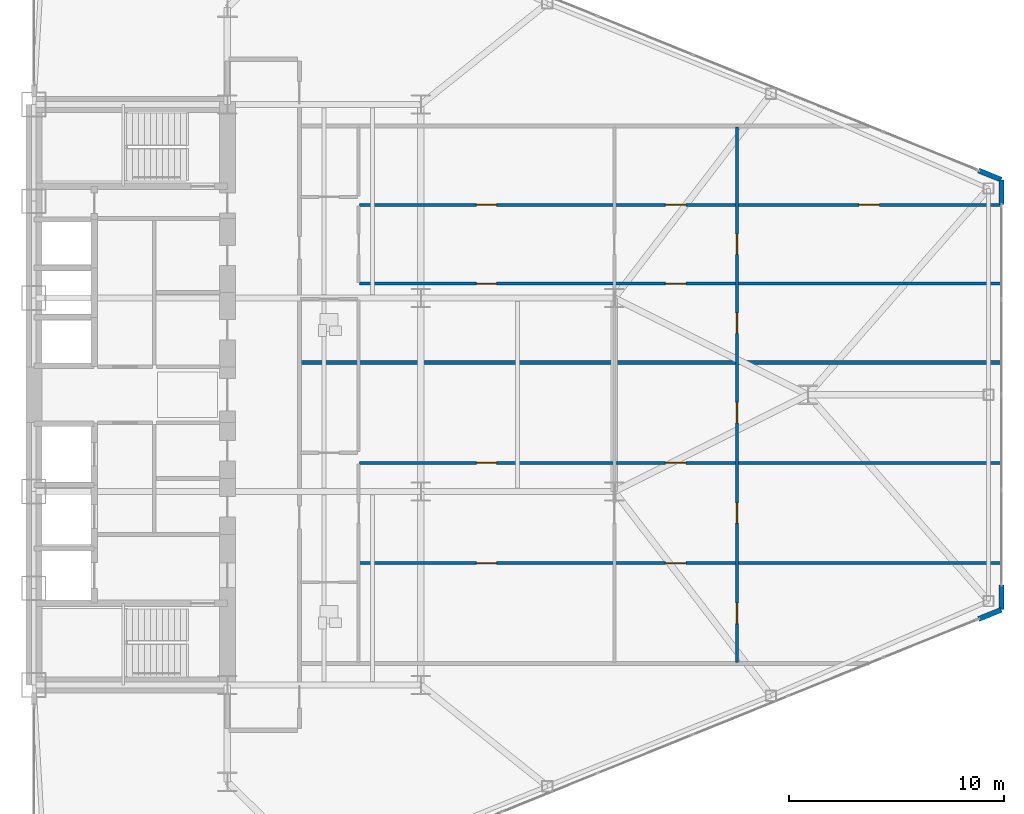
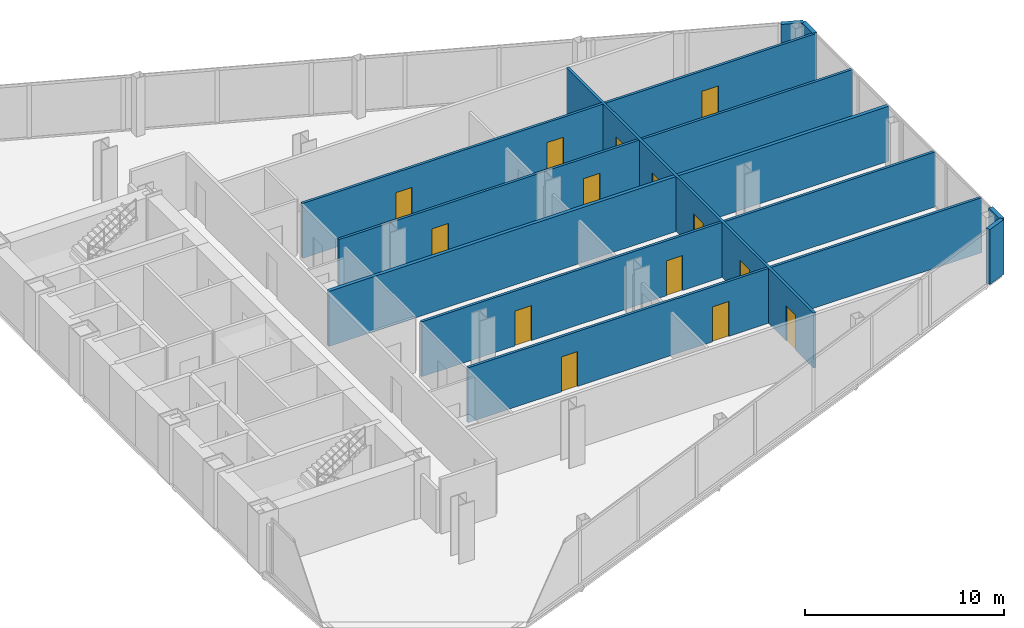
# One storey, part 22 of 25: 14 doors, 10 walls, 14 openings.
"""IFC4 building model written with IfcOpenShell, lengths in metres."""

from ifc_helpers import new_model, si_unit, direction, frame, frame_2d, origin, place, context, subcontext, project, spatial, rectangle, extrude, source, transform, mapped, material, layer, layer_set, type_object, type_shapes, element, fill, save


model = new_model("IFC4")

# Units and contexts
model_context = context("Model", 3, precision=1e-05, world=origin(), true_north=direction((0.0, 1.0)))
body_context = subcontext(model_context, "Body", "Model", "MODEL_VIEW")
ifc_project = project(units=[si_unit("LENGTHUNIT", "METRE"), si_unit("AREAUNIT", "SQUARE_METRE"), si_unit("VOLUMEUNIT", "CUBIC_METRE"), si_unit("PLANEANGLEUNIT", "RADIAN"), si_unit("MASSUNIT", "GRAM", prefix="KILO")], contexts=[model_context])

# Site, building, storey
site_placement = place(None, origin())
site = spatial("IfcSite", under=ifc_project, at=site_placement, CompositionType="ELEMENT")
building_placement = place(site_placement, origin())
building = spatial("IfcBuilding", under=site, at=building_placement, Name="Seokmaru Belvedere", CompositionType="ELEMENT")
storey_placement = place(building_placement, frame((0.0, 0.0, 47.699951171875)))
storey = spatial("IfcBuildingStorey", under=building, at=storey_placement, Name="L12", CompositionType="ELEMENT", Elevation=47.699951171875)

# Wall, openings, doors
ifc_material_1 = material(Name="Fire-Rated Gypsum Shaftwall")
ifc_layer_1 = layer(ifc_material_1, 0.14990234375)
ifc_layer_set_1 = layer_set([ifc_layer_1], Name="Fire-Rated Gypsum Shaftwall")
wall_type_1 = type_object("IfcWallType", Name="Apartment Fire-Acoustic Room Partition 150", PredefinedType="PARTITIONING", material=ifc_layer_set_1)
wall_1_placement = place(storey_placement, frame((42.64990234375, -7.830078125, 0.0), z_axis=(0.0, 0.0, 1.0), x_axis=(1.0, 0.0, 0.0)))
wall_1 = element("IfcWall", 1, at=wall_1_placement, inside=storey, type_object=wall_type_1, Name="L12 Interior Partition 012", PredefinedType="PARTITIONING", context=body_context, shape_type="SweptSolid", body=[
    extrude(rectangle(XDim=29.885009765625, YDim=0.14990234375, at=frame_2d((14.9423828125, 0.0))), origin(), (0.0, 0.0, 1.0), 3.380126953125),
])
opening_1_placement = place(wall_1_placement, frame((5.425048828125, 0.0, 0.0)))
opening_1 = element("IfcOpeningElement", 2, at=opening_1_placement, cuts=wall_1, Name="Opening D05", PredefinedType="OPENING", context=body_context, shape_type="SweptSolid", body=[
    extrude(rectangle(XDim=0.949951171875, YDim=2.14990234375, at=frame_2d((0.47509765625, 1.074951171875))), frame((0.0, 0.0849609375, 0.0), z_axis=(0.0, -1.0, 0.0), x_axis=(1.0, 0.0, 0.0)), (0.0, 0.0, 1.0), 0.169921875),
])
opening_2_placement = place(wall_1_placement, frame((14.22509765625, 0.0, 0.0)))
opening_2 = element("IfcOpeningElement", 3, at=opening_2_placement, cuts=wall_1, Name="Opening D05", PredefinedType="OPENING", context=body_context, shape_type="SweptSolid", body=[
    extrude(rectangle(XDim=0.949951171875, YDim=2.14990234375, at=frame_2d((0.47509765625, 1.074951171875))), frame((0.0, 0.0849609375, 0.0), z_axis=(0.0, -1.0, 0.0), x_axis=(1.0, 0.0, 0.0)), (0.0, 0.0, 1.0), 0.169921875),
])
ifc_material_2 = material(Name="Engineered White Oak Timber", Category="wood")
door_type = type_object("IfcDoorType", Name="Apartment Interior Fire-Rated Oak Door 950x2150", OperationType="NOTDEFINED", PredefinedType="DOOR", material=ifc_material_2)
shared_shape = source(origin(), body_context, "Body", "SweptSolid", [
    extrude(rectangle(XDim=0.949951171875, YDim=2.14990234375, at=frame_2d((0.47509765625, 1.074951171875))), frame((0.0, 0.02490234375, 0.0), z_axis=(0.0, -1.0, 0.0), x_axis=(1.0, 0.0, 0.0)), (0.0, 0.0, 1.0), 0.050048828125),
])
type_shapes(door_type, [shared_shape])
door_1_placement = place(opening_1_placement, origin())
door_1 = element("IfcDoor", 4, at=door_1_placement, inside=storey, type_object=door_type, Name="L12 Interior Door 043", OperationType="SINGLE_SWING_LEFT", OverallHeight=2.14990234375, OverallWidth=0.949951171875, PredefinedType="DOOR", context=body_context, shape_type="MappedRepresentation", body=[
    mapped(shared_shape, transform((0.0, 0.0, 0.0), scale=1.0)),
])
fill(opening_1, door_1)
door_2_placement = place(opening_2_placement, origin())
door_2 = element("IfcDoor", 5, at=door_2_placement, inside=storey, type_object=door_type, Name="L12 Interior Door 045", OperationType="SINGLE_SWING_RIGHT", OverallHeight=2.14990234375, OverallWidth=0.949951171875, PredefinedType="DOOR", context=body_context, shape_type="MappedRepresentation", body=[
    mapped(shared_shape, transform((0.0, 0.0, 0.0), scale=1.0)),
])
fill(opening_2, door_2)

wall_2_placement = place(storey_placement, frame((42.64990234375, -3.169921875, 0.0), z_axis=(0.0, 0.0, 1.0), x_axis=(1.0, 0.0, 0.0)))
wall_2 = element("IfcWall", 6, at=wall_2_placement, inside=storey, type_object=wall_type_1, Name="L12 Interior Partition 015", PredefinedType="PARTITIONING", context=body_context, shape_type="SweptSolid", body=[
    extrude(rectangle(XDim=29.885009765625, YDim=0.14990234375, at=frame_2d((14.9423828125, 0.0))), origin(), (0.0, 0.0, 1.0), 3.380126953125),
])
opening_3_placement = place(wall_2_placement, frame((5.425048828125, 0.0, 0.0)))
opening_3 = element("IfcOpeningElement", 7, at=opening_3_placement, cuts=wall_2, Name="Opening D05", PredefinedType="OPENING", context=body_context, shape_type="SweptSolid", body=[
    extrude(rectangle(XDim=0.949951171875, YDim=2.14990234375, at=frame_2d((0.47509765625, 1.074951171875))), frame((0.0, 0.0849609375, 0.0), z_axis=(0.0, -1.0, 0.0), x_axis=(1.0, 0.0, 0.0)), (0.0, 0.0, 1.0), 0.169921875),
])
opening_4_placement = place(wall_2_placement, frame((14.22509765625, 0.0, 0.0)))
opening_4 = element("IfcOpeningElement", 8, at=opening_4_placement, cuts=wall_2, Name="Opening D05", PredefinedType="OPENING", context=body_context, shape_type="SweptSolid", body=[
    extrude(rectangle(XDim=0.949951171875, YDim=2.14990234375, at=frame_2d((0.47509765625, 1.074951171875))), frame((0.0, 0.0849609375, 0.0), z_axis=(0.0, -1.0, 0.0), x_axis=(1.0, 0.0, 0.0)), (0.0, 0.0, 1.0), 0.169921875),
])
door_3_placement = place(opening_3_placement, origin())
door_3 = element("IfcDoor", 9, at=door_3_placement, inside=storey, type_object=door_type, Name="L12 Interior Door 044", OperationType="SINGLE_SWING_RIGHT", OverallHeight=2.14990234375, OverallWidth=0.949951171875, PredefinedType="DOOR", context=body_context, shape_type="MappedRepresentation", body=[
    mapped(shared_shape, transform((0.0, 0.0, 0.0), scale=1.0)),
])
fill(opening_3, door_3)
door_4_placement = place(opening_4_placement, origin())
door_4 = element("IfcDoor", 10, at=door_4_placement, inside=storey, type_object=door_type, Name="L12 Interior Door 048", OperationType="SINGLE_SWING_RIGHT", OverallHeight=2.14990234375, OverallWidth=0.949951171875, PredefinedType="DOOR", context=body_context, shape_type="MappedRepresentation", body=[
    mapped(shared_shape, transform((0.0, 0.0, 0.0), scale=1.0)),
])
fill(opening_4, door_4)

wall_3_placement = place(storey_placement, frame((42.64990234375, 5.169921875, 0.0), z_axis=(0.0, 0.0, 1.0), x_axis=(1.0, 0.0, 0.0)))
wall_3 = element("IfcWall", 11, at=wall_3_placement, inside=storey, type_object=wall_type_1, Name="L12 Interior Partition 021", PredefinedType="PARTITIONING", context=body_context, shape_type="SweptSolid", body=[
    extrude(rectangle(XDim=29.885009765625, YDim=0.14990234375, at=frame_2d((14.9423828125, 0.0))), origin(), (0.0, 0.0, 1.0), 3.380126953125),
])
opening_5_placement = place(wall_3_placement, frame((5.425048828125, 0.0, 0.0)))
opening_5 = element("IfcOpeningElement", 12, at=opening_5_placement, cuts=wall_3, Name="Opening D05", PredefinedType="OPENING", context=body_context, shape_type="SweptSolid", body=[
    extrude(rectangle(XDim=0.949951171875, YDim=2.14990234375, at=frame_2d((0.47509765625, 1.074951171875))), frame((0.0, 0.0849609375, 0.0), z_axis=(0.0, -1.0, 0.0), x_axis=(1.0, 0.0, 0.0)), (0.0, 0.0, 1.0), 0.169921875),
])
opening_6_placement = place(wall_3_placement, frame((14.22509765625, 0.0, 0.0)))
opening_6 = element("IfcOpeningElement", 13, at=opening_6_placement, cuts=wall_3, Name="Opening D05", PredefinedType="OPENING", context=body_context, shape_type="SweptSolid", body=[
    extrude(rectangle(XDim=0.949951171875, YDim=2.14990234375, at=frame_2d((0.47509765625, 1.074951171875))), frame((0.0, 0.0849609375, 0.0), z_axis=(0.0, -1.0, 0.0), x_axis=(1.0, 0.0, 0.0)), (0.0, 0.0, 1.0), 0.169921875),
])
door_5_placement = place(opening_5_placement, origin())
door_5 = element("IfcDoor", 14, at=door_5_placement, inside=storey, type_object=door_type, Name="L12 Interior Door 055", OperationType="SINGLE_SWING_LEFT", OverallHeight=2.14990234375, OverallWidth=0.949951171875, PredefinedType="DOOR", context=body_context, shape_type="MappedRepresentation", body=[
    mapped(shared_shape, transform((0.0, 0.0, 0.0), scale=1.0)),
])
fill(opening_5, door_5)
door_6_placement = place(opening_6_placement, origin())
door_6 = element("IfcDoor", 15, at=door_6_placement, inside=storey, type_object=door_type, Name="L12 Interior Door 057", OperationType="SINGLE_SWING_RIGHT", OverallHeight=2.14990234375, OverallWidth=0.949951171875, PredefinedType="DOOR", context=body_context, shape_type="MappedRepresentation", body=[
    mapped(shared_shape, transform((0.0, 0.0, 0.0), scale=1.0)),
])
fill(opening_6, door_6)

wall_4_placement = place(storey_placement, frame((42.64990234375, 8.830078125, 0.0), z_axis=(0.0, 0.0, 1.0), x_axis=(1.0, 0.0, 0.0)))
wall_4 = element("IfcWall", 16, at=wall_4_placement, inside=storey, type_object=wall_type_1, Name="L12 Interior Partition 023", PredefinedType="PARTITIONING", context=body_context, shape_type="SweptSolid", body=[
    extrude(rectangle(XDim=29.885009765625, YDim=0.14990234375, at=frame_2d((14.9423828125, 0.0))), origin(), (0.0, 0.0, 1.0), 3.380126953125),
])
opening_7_placement = place(wall_4_placement, frame((5.425048828125, 0.0, 0.0)))
opening_7 = element("IfcOpeningElement", 17, at=opening_7_placement, cuts=wall_4, Name="Opening D05", PredefinedType="OPENING", context=body_context, shape_type="SweptSolid", body=[
    extrude(rectangle(XDim=0.949951171875, YDim=2.14990234375, at=frame_2d((0.47509765625, 1.074951171875))), frame((0.0, 0.0849609375, 0.0), z_axis=(0.0, -1.0, 0.0), x_axis=(1.0, 0.0, 0.0)), (0.0, 0.0, 1.0), 0.169921875),
])
opening_8_placement = place(wall_4_placement, frame((23.22509765625, 0.0, 0.0)))
opening_8 = element("IfcOpeningElement", 18, at=opening_8_placement, cuts=wall_4, Name="Opening D05", PredefinedType="OPENING", context=body_context, shape_type="SweptSolid", body=[
    extrude(rectangle(XDim=0.949951171875, YDim=2.14990234375, at=frame_2d((0.47509765625, 1.074951171875))), frame((0.0, 0.0849609375, 0.0), z_axis=(0.0, -1.0, 0.0), x_axis=(1.0, 0.0, 0.0)), (0.0, 0.0, 1.0), 0.169921875),
])
opening_9_placement = place(wall_4_placement, frame((14.22509765625, 0.0, 0.0)))
opening_9 = element("IfcOpeningElement", 19, at=opening_9_placement, cuts=wall_4, Name="Opening D05", PredefinedType="OPENING", context=body_context, shape_type="SweptSolid", body=[
    extrude(rectangle(XDim=0.949951171875, YDim=2.14990234375, at=frame_2d((0.47509765625, 1.074951171875))), frame((0.0, 0.0849609375, 0.0), z_axis=(0.0, -1.0, 0.0), x_axis=(1.0, 0.0, 0.0)), (0.0, 0.0, 1.0), 0.169921875),
])
door_7_placement = place(opening_7_placement, origin())
door_7 = element("IfcDoor", 20, at=door_7_placement, inside=storey, type_object=door_type, Name="L12 Interior Door 056", OperationType="SINGLE_SWING_RIGHT", OverallHeight=2.14990234375, OverallWidth=0.949951171875, PredefinedType="DOOR", context=body_context, shape_type="MappedRepresentation", body=[
    mapped(shared_shape, transform((0.0, 0.0, 0.0), scale=1.0)),
])
fill(opening_7, door_7)
door_8_placement = place(opening_8_placement, origin())
door_8 = element("IfcDoor", 21, at=door_8_placement, inside=storey, type_object=door_type, Name="L12 Interior Door 060", OperationType="SINGLE_SWING_RIGHT", OverallHeight=2.14990234375, OverallWidth=0.949951171875, PredefinedType="DOOR", context=body_context, shape_type="MappedRepresentation", body=[
    mapped(shared_shape, transform((0.0, 0.0, 0.0), scale=1.0)),
])
fill(opening_8, door_8)
door_9_placement = place(opening_9_placement, origin())
door_9 = element("IfcDoor", 22, at=door_9_placement, inside=storey, type_object=door_type, Name="L12 Interior Door 061", OperationType="SINGLE_SWING_RIGHT", OverallHeight=2.14990234375, OverallWidth=0.949951171875, PredefinedType="DOOR", context=body_context, shape_type="MappedRepresentation", body=[
    mapped(shared_shape, transform((0.0, 0.0, 0.0), scale=1.0)),
])
fill(opening_9, door_9)

wall_5_placement = place(storey_placement, frame((60.199951171875, -12.449951171875, 0.0), z_axis=(0.0, 0.0, 1.0), x_axis=(0.0, 1.0, 0.0)))
wall_5 = element("IfcWall", 23, at=wall_5_placement, inside=storey, type_object=wall_type_1, Name="L12 Interior Partition 051", PredefinedType="PARTITIONING", context=body_context, shape_type="SweptSolid", body=[
    extrude(rectangle(XDim=24.89990234375, YDim=0.14990234375, at=frame_2d((12.449951171875, 0.0))), origin(), (0.0, 0.0, 1.0), 3.380126953125),
])
opening_10_placement = place(wall_5_placement, frame((1.808349609375, 0.0, 0.0)))
opening_10 = element("IfcOpeningElement", 24, at=opening_10_placement, cuts=wall_5, Name="Opening D05", PredefinedType="OPENING", context=body_context, shape_type="SweptSolid", body=[
    extrude(rectangle(XDim=0.949951171875, YDim=2.14990234375, at=frame_2d((0.47509765625, 1.074951171875))), frame((0.0, 0.0849609375, 0.0), z_axis=(0.0, -1.0, 0.0), x_axis=(1.0, 0.0, 0.0)), (0.0, 0.0, 1.0), 0.169921875),
])
opening_11_placement = place(wall_5_placement, frame((6.47509765625, 0.0, 0.0)))
opening_11 = element("IfcOpeningElement", 25, at=opening_11_placement, cuts=wall_5, Name="Opening D05", PredefinedType="OPENING", context=body_context, shape_type="SweptSolid", body=[
    extrude(rectangle(XDim=0.949951171875, YDim=2.14990234375, at=frame_2d((0.47509765625, 1.074951171875))), frame((0.0, 0.0849609375, 0.0), z_axis=(0.0, -1.0, 0.0), x_axis=(1.0, 0.0, 0.0)), (0.0, 0.0, 1.0), 0.169921875),
])
opening_12_placement = place(wall_5_placement, frame((11.1416015625, 0.0, 0.0)))
opening_12 = element("IfcOpeningElement", 26, at=opening_12_placement, cuts=wall_5, Name="Opening D05", PredefinedType="OPENING", context=body_context, shape_type="SweptSolid", body=[
    extrude(rectangle(XDim=0.949951171875, YDim=2.14990234375, at=frame_2d((0.47509765625, 1.074951171875))), frame((0.0, 0.0849609375, 0.0), z_axis=(0.0, -1.0, 0.0), x_axis=(1.0, 0.0, 0.0)), (0.0, 0.0, 1.0), 0.169921875),
])
opening_13_placement = place(wall_5_placement, frame((15.308349609375, 0.0, 0.0)))
opening_13 = element("IfcOpeningElement", 27, at=opening_13_placement, cuts=wall_5, Name="Opening D05", PredefinedType="OPENING", context=body_context, shape_type="SweptSolid", body=[
    extrude(rectangle(XDim=0.949951171875, YDim=2.14990234375, at=frame_2d((0.47509765625, 1.074951171875))), frame((0.0, 0.0849609375, 0.0), z_axis=(0.0, -1.0, 0.0), x_axis=(1.0, 0.0, 0.0)), (0.0, 0.0, 1.0), 0.169921875),
])
opening_14_placement = place(wall_5_placement, frame((18.97509765625, 0.0, 0.0)))
opening_14 = element("IfcOpeningElement", 28, at=opening_14_placement, cuts=wall_5, Name="Opening D05", PredefinedType="OPENING", context=body_context, shape_type="SweptSolid", body=[
    extrude(rectangle(XDim=0.949951171875, YDim=2.14990234375, at=frame_2d((0.47509765625, 1.074951171875))), frame((0.0, 0.0849609375, 0.0), z_axis=(0.0, -1.0, 0.0), x_axis=(1.0, 0.0, 0.0)), (0.0, 0.0, 1.0), 0.169921875),
])
door_10_placement = place(opening_10_placement, origin())
door_10 = element("IfcDoor", 29, at=door_10_placement, inside=storey, type_object=door_type, Name="L12 Interior Door 046", OperationType="SINGLE_SWING_LEFT", OverallHeight=2.14990234375, OverallWidth=0.949951171875, PredefinedType="DOOR", context=body_context, shape_type="MappedRepresentation", body=[
    mapped(shared_shape, transform((0.0, 0.0, 0.0), scale=1.0)),
])
fill(opening_10, door_10)
door_11_placement = place(opening_11_placement, origin())
door_11 = element("IfcDoor", 30, at=door_11_placement, inside=storey, type_object=door_type, Name="L12 Interior Door 047", OperationType="SINGLE_SWING_LEFT", OverallHeight=2.14990234375, OverallWidth=0.949951171875, PredefinedType="DOOR", context=body_context, shape_type="MappedRepresentation", body=[
    mapped(shared_shape, transform((0.0, 0.0, 0.0), scale=1.0)),
])
fill(opening_11, door_11)
door_12_placement = place(opening_12_placement, origin())
door_12 = element("IfcDoor", 31, at=door_12_placement, inside=storey, type_object=door_type, Name="L12 Interior Door 049", OperationType="SINGLE_SWING_LEFT", OverallHeight=2.14990234375, OverallWidth=0.949951171875, PredefinedType="DOOR", context=body_context, shape_type="MappedRepresentation", body=[
    mapped(shared_shape, transform((0.0, 0.0, 0.0), scale=1.0)),
])
fill(opening_12, door_12)
door_13_placement = place(opening_13_placement, origin())
door_13 = element("IfcDoor", 32, at=door_13_placement, inside=storey, type_object=door_type, Name="L12 Interior Door 058", OperationType="SINGLE_SWING_LEFT", OverallHeight=2.14990234375, OverallWidth=0.949951171875, PredefinedType="DOOR", context=body_context, shape_type="MappedRepresentation", body=[
    mapped(shared_shape, transform((0.0, 0.0, 0.0), scale=1.0)),
])
fill(opening_13, door_13)
door_14_placement = place(opening_14_placement, origin())
door_14 = element("IfcDoor", 33, at=door_14_placement, inside=storey, type_object=door_type, Name="L12 Interior Door 059", OperationType="SINGLE_SWING_LEFT", OverallHeight=2.14990234375, OverallWidth=0.949951171875, PredefinedType="DOOR", context=body_context, shape_type="MappedRepresentation", body=[
    mapped(shared_shape, transform((0.0, 0.0, 0.0), scale=1.0)),
])
fill(opening_14, door_14)

# Walls
ifc_layer_2 = layer(ifc_material_1, 0.199951171875)
ifc_layer_set_2 = layer_set([ifc_layer_2], Name="Fire-Rated Gypsum Shaftwall")
wall_type_2 = type_object("IfcWallType", Name="Inter-Tenancy Fire Compartment Partition 200", PredefinedType="PARTITIONING", material=ifc_layer_set_2)
wall_6_placement = place(storey_placement, frame((39.929931640625, 1.5, 0.0), z_axis=(0.0, 0.0, 1.0), x_axis=(1.0, 0.0, 0.0)))
element("IfcWall", 34, at=wall_6_placement, inside=storey, type_object=wall_type_2, Name="L12 Interior Partition 019", PredefinedType="PARTITIONING", context=body_context, shape_type="SweptSolid", body=[
    extrude(rectangle(XDim=32.574951171875, YDim=0.199951171875, at=frame_2d((16.28759765625, 0.0))), origin(), (0.0, 0.0, 1.0), 3.380126953125),
])
ifc_material_3 = material(Name="Anodised Bronze Aluminium", Category="aluminium")
ifc_layer_3 = layer(ifc_material_3, 0.239990234375)
ifc_layer_set_3 = layer_set([ifc_layer_3], Name="Anodised Bronze Aluminium")
wall_type_3 = type_object("IfcWallType", Name="Tower Corner Spandrel Closure Wall 240", PredefinedType="SOLIDWALL", material=ifc_layer_set_3)
for number, where, z_axis, x_axis, name in (
    (35, (71.43408203125, -10.431396484375, 0.0), (0.0, 0.0, 1.0), (0.927007103665, 0.375043770452, 0.0), "L12 E Corner Closure Pier 1B"),
    (36, (72.5, -9.989990234375, 0.0), (0.0, 0.0, 1.0), (0.0, 1.0, 0.0), "L12 E Corner Closure Pier 2A"),
    (37, (72.5, 8.85009765625, 0.0), (0.0, 0.0, 1.0), (0.0, 1.0, 0.0), "L12 E Corner Closure Pier 2B"),
    (38, (72.49072265625, 10.00390625, 0.0), (0.0, 0.0, 1.0), (-0.927007103665, 0.375043770452, 0.0), "L12 E Corner Closure Pier 3A"),
):
    element("IfcWall", number, at=place(storey_placement, frame(where, z_axis=z_axis, x_axis=x_axis)), inside=storey, type_object=wall_type_3, Name=name, PredefinedType="SOLIDWALL", context=body_context, shape_type="SweptSolid", body=[
        extrude(rectangle(XDim=1.139892578125, YDim=0.239990234375, at=frame_2d((0.56982421875, 0.0))), origin(), (0.0, 0.0, 1.0), 3.380126953125),
    ])

save(model, "model.ifc")
